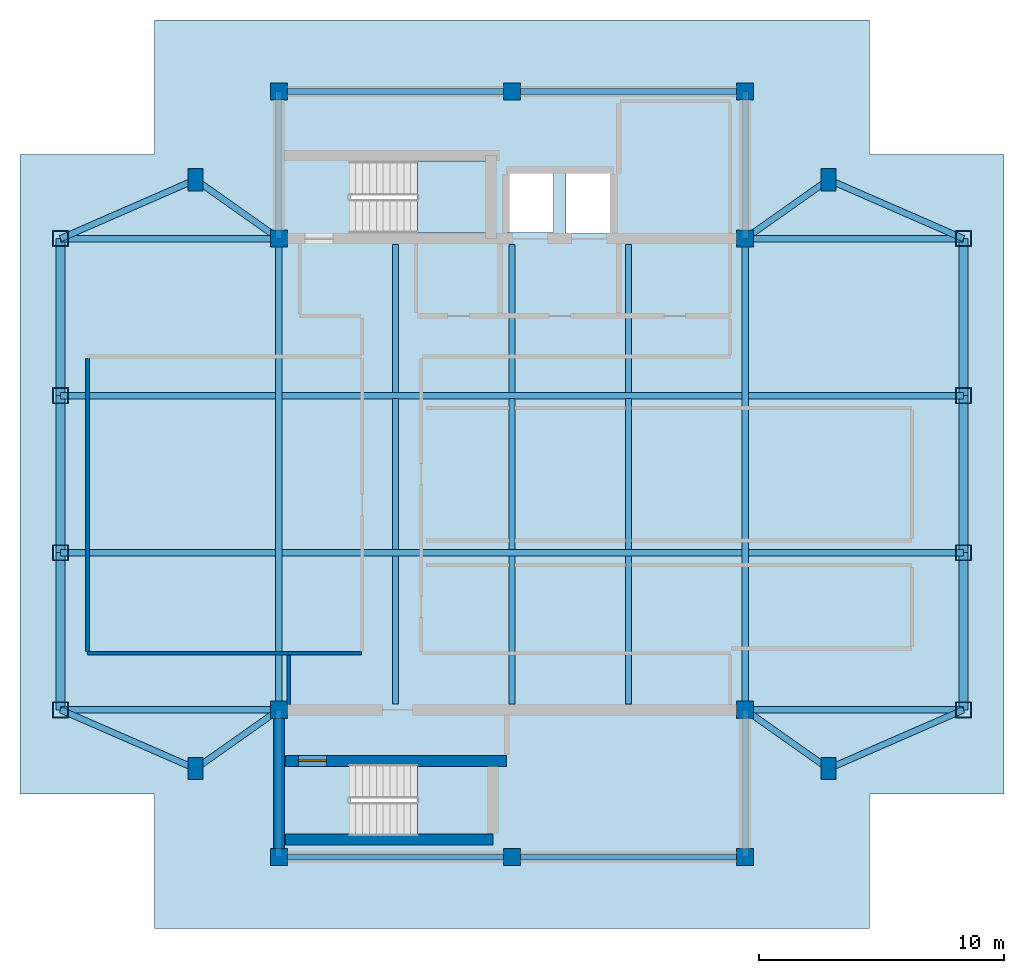
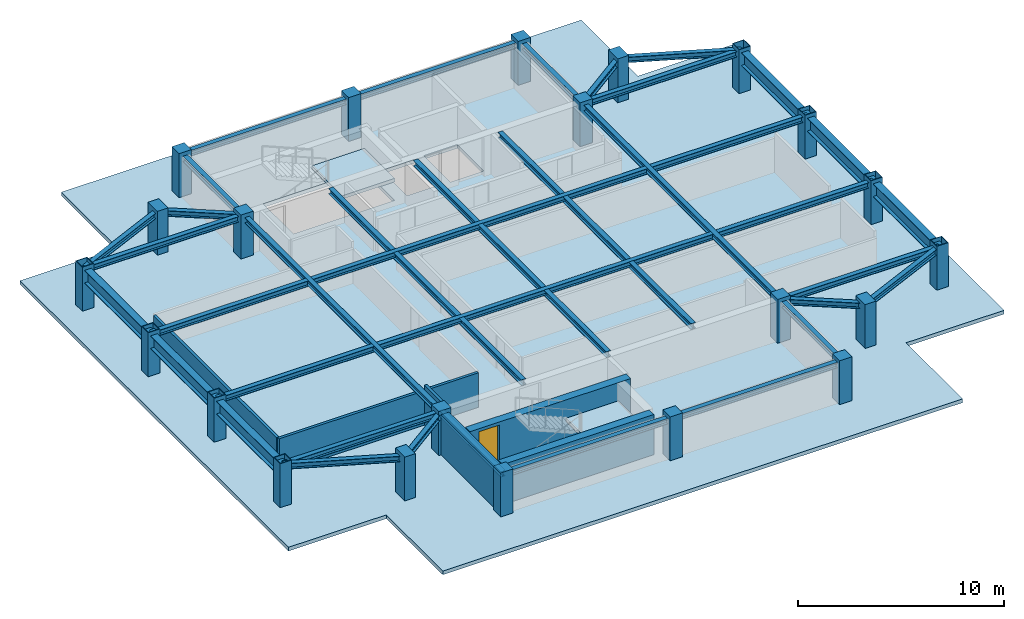
# One storey, part 1 of 4: 43 beams, 22 columns, 6 walls, 3 slabs, 1 door, 1 opening, 2 elements without a shape of their own.
"""IFC4 building model written with IfcOpenShell, lengths in metres."""

from ifc_helpers import new_model, si_unit, direction, frame, frame_2d, origin, origin_2d, place, context, subcontext, project, spatial, polyline, rectangle, hollow_rectangle, i_section, outline, extrude, material, layer, layer_set, material_profile, profile_set, type_object, element, fill, aggregate, save


model = new_model("IFC4")

# Units and contexts
model_context = context("Model", 3, precision=1e-05, world=origin(), true_north=direction((0.0, 1.0)))
body_context = subcontext(model_context, "Body", "Model", "MODEL_VIEW")
ifc_project = project(units=[si_unit("LENGTHUNIT", "METRE"), si_unit("AREAUNIT", "SQUARE_METRE"), si_unit("VOLUMEUNIT", "CUBIC_METRE"), si_unit("PLANEANGLEUNIT", "RADIAN"), si_unit("MASSUNIT", "GRAM", prefix="KILO")], contexts=[model_context])

# Site, building, storey
site_placement = place(None, origin())
site = spatial("IfcSite", under=ifc_project, at=site_placement, CompositionType="ELEMENT")
building_placement = place(site_placement, origin())
building = spatial("IfcBuilding", under=site, at=building_placement, Name="Mirazonda Arch Towers", CompositionType="ELEMENT")
storey_placement = place(building_placement, frame((0.0, 0.0, 271.300048828125)))
storey = spatial("IfcBuildingStorey", under=building, at=storey_placement, Name="L78", CompositionType="ELEMENT", Elevation=271.300048828125)

# Columns
ifc_material_1 = material(Name="Concrete C50/60", Category="concrete")
ifc_material_profile_1 = material_profile(ifc_material_1, rectangle(XDim=0.699951171875, YDim=0.699951171875, at=origin_2d()), Name="RC700x700")
ifc_profile_set_1 = profile_set([ifc_material_profile_1], Name="Concrete C50/60")
column_type_1 = type_object("IfcColumnType", Name="COL-INT-RC700x700", PredefinedType="COLUMN", material=ifc_profile_set_1)
for number, where, z_axis, x_axis, name in (
    (1, (11.0, 12.39990234375, 0.0), (0.0, 0.0, 1.0), (1.0, 0.0, 0.0), "L78 T1 Core Column 01"),
    (2, (20.5, 12.39990234375, 0.0), (0.0, 0.0, 1.0), (1.0, 0.0, 0.0), "L78 T1 Core Column 02"),
    (3, (30.0, 12.39990234375, 0.0), (0.0, 0.0, 1.0), (1.0, 0.0, 0.0), "L78 T1 Core Column 03"),
    (4, (11.0, 18.39990234375, 0.0), (0.0, 0.0, 1.0), (1.0, 0.0, 0.0), "L78 T1 Core Column 04"),
    (5, (30.0, 18.39990234375, 0.0), (0.0, 0.0, 1.0), (1.0, 0.0, 0.0), "L78 T1 Core Column 05"),
    (6, (11.0, 37.60009765625, 0.0), (0.0, 0.0, 1.0), (1.0, 0.0, 0.0), "L78 T1 Core Column 06"),
    (7, (30.0, 37.60009765625, 0.0), (0.0, 0.0, 1.0), (1.0, 0.0, 0.0), "L78 T1 Core Column 07"),
    (8, (11.0, 43.60009765625, 0.0), (0.0, 0.0, 1.0), (1.0, 0.0, 0.0), "L78 T1 Core Column 08"),
    (9, (20.5, 43.60009765625, 0.0), (0.0, 0.0, 1.0), (1.0, 0.0, 0.0), "L78 T1 Core Column 09"),
    (10, (30.0, 43.60009765625, 0.0), (0.0, 0.0, 1.0), (1.0, 0.0, 0.0), "L78 T1 Core Column 10"),
):
    element("IfcColumn", number, at=place(storey_placement, frame(where, z_axis=z_axis, x_axis=x_axis)), inside=storey, type_object=column_type_1, Name=name, PredefinedType="COLUMN", context=body_context, shape_type="SweptSolid", body=[
        extrude(rectangle(XDim=0.699951171875, YDim=0.699951171875, at=origin_2d()), origin(), (0.0, 0.0, 1.0), 2.599853515625),
    ])
ifc_material_2 = material(Name="Steel ASTM A572 Grade 50", Category="steel")
ifc_material_profile_2 = material_profile(ifc_material_2, hollow_rectangle(XDim=0.64990234375, YDim=0.64990234375, WallThickness=0.035888671875, at=origin_2d()), Name="BOX650x650x36")
ifc_profile_set_2 = profile_set([ifc_material_profile_2], Name="Steel ASTM A572 Grade 50")
column_type_2 = type_object("IfcColumnType", Name="MCOL-EXT-BOX650x650x36", PredefinedType="COLUMN", material=ifc_profile_set_2)
for number, where, z_axis, x_axis, name in (
    (11, (2.10009765625, 18.39990234375, 0.0), (0.0, 0.0, 1.0), (1.0, 0.0, 0.0), "L78 T1 Composite Mega-Column 01"),
    (12, (2.10009765625, 24.800048828125, 0.0), (0.0, 0.0, 1.0), (1.0, 0.0, 0.0), "L78 T1 Composite Mega-Column 02"),
    (13, (2.10009765625, 31.199951171875, 0.0), (0.0, 0.0, 1.0), (1.0, 0.0, 0.0), "L78 T1 Composite Mega-Column 03"),
    (14, (2.10009765625, 37.60009765625, 0.0), (0.0, 0.0, 1.0), (1.0, 0.0, 0.0), "L78 T1 Composite Mega-Column 04"),
    (15, (38.89990234375, 18.39990234375, 0.0), (0.0, 0.0, 1.0), (1.0, 0.0, 0.0), "L78 T1 Composite Mega-Column 05"),
    (16, (38.89990234375, 24.800048828125, 0.0), (0.0, 0.0, 1.0), (1.0, 0.0, 0.0), "L78 T1 Composite Mega-Column 06"),
    (17, (38.89990234375, 31.199951171875, 0.0), (0.0, 0.0, 1.0), (1.0, 0.0, 0.0), "L78 T1 Composite Mega-Column 07"),
    (18, (38.89990234375, 37.60009765625, 0.0), (0.0, 0.0, 1.0), (1.0, 0.0, 0.0), "L78 T1 Composite Mega-Column 08"),
):
    element("IfcColumn", number, at=place(storey_placement, frame(where, z_axis=z_axis, x_axis=x_axis)), inside=storey, type_object=column_type_2, Name=name, PredefinedType="COLUMN", context=body_context, shape_type="SweptSolid", body=[
        extrude(hollow_rectangle(XDim=0.64990234375, YDim=0.64990234375, WallThickness=0.035888671875, at=origin_2d()), origin(), (0.0, 0.0, 1.0), 2.599853515625),
    ])
ifc_material_profile_3 = material_profile(ifc_material_1, rectangle(XDim=0.60009765625, YDim=0.89990234375, at=origin_2d()), Name="RC900x600")
ifc_profile_set_3 = profile_set([ifc_material_profile_3], Name="Concrete C50/60")
column_type_3 = type_object("IfcColumnType", Name="PIL-EXT-RC900x600", PredefinedType="PILASTER", material=ifc_profile_set_3)
for number, where, z_axis, x_axis, name in (
    (19, (7.60009765625, 16.0, 0.0), (0.0, 0.0, 1.0), (1.0, 0.0, 0.0), "L78 T1 Corner Pilaster 01"),
    (20, (33.39990234375, 16.0, 0.0), (0.0, 0.0, 1.0), (1.0, 0.0, 0.0), "L78 T1 Corner Pilaster 02"),
    (21, (7.60009765625, 40.0, 0.0), (0.0, 0.0, 1.0), (1.0, 0.0, 0.0), "L78 T1 Corner Pilaster 03"),
    (22, (33.39990234375, 40.0, 0.0), (0.0, 0.0, 1.0), (1.0, 0.0, 0.0), "L78 T1 Corner Pilaster 04"),
):
    element("IfcColumn", number, at=place(storey_placement, frame(where, z_axis=z_axis, x_axis=x_axis)), inside=storey, type_object=column_type_3, Name=name, PredefinedType="PILASTER", context=body_context, shape_type="SweptSolid", body=[
        extrude(rectangle(XDim=0.60009765625, YDim=0.89990234375, at=origin_2d()), origin(), (0.0, 0.0, 1.0), 2.599853515625),
    ])

# Beams
ifc_material_3 = material(Name="Steel ASTM A992 Grade 50", Category="steel")
ifc_material_profile_4 = material_profile(ifc_material_3, i_section(OverallWidth=0.381103515625, OverallDepth=0.77294921875, WebThickness=0.0166015625, FlangeThickness=0.027099609375, at=origin_2d()), Name="W30X173")
ifc_profile_set_4 = profile_set([ifc_material_profile_4], Name="Steel ASTM A992 Grade 50")
beam_type_1 = type_object("IfcBeamType", Name="BM-EXT-W30X173", PredefinedType="USERDEFINED", material=ifc_profile_set_4)
beam_1_placement = place(storey_placement, frame((2.10009765625, 18.39990234375, 1.993408203125), z_axis=(0.0, 1.0, 0.0), x_axis=(-1.0, 0.0, 0.0)))
element("IfcBeam", 23, at=beam_1_placement, inside=storey, type_object=beam_type_1, Name="L78 Floor Beam BMC-T1-L78-NS-W-18", ObjectType="GIRDER", PredefinedType="USERDEFINED", context=body_context, shape_type="SweptSolid", body=[
    extrude(i_section(OverallWidth=0.381103515625, OverallDepth=0.77294921875, WebThickness=0.0166015625, FlangeThickness=0.027099609375, at=origin_2d()), origin(), (0.0, 0.0, 1.0), 6.400146484375),
])
beam_2_placement = place(storey_placement, frame((2.10009765625, 24.800048828125, 1.993408203125), z_axis=(0.0, 1.0, 0.0), x_axis=(-1.0, 0.0, 0.0)))
element("IfcBeam", 24, at=beam_2_placement, inside=storey, type_object=beam_type_1, Name="L78 Floor Beam BMC-T1-L78-NS-W-24", ObjectType="GIRDER", PredefinedType="USERDEFINED", context=body_context, shape_type="SweptSolid", body=[
    extrude(i_section(OverallWidth=0.381103515625, OverallDepth=0.77294921875, WebThickness=0.0166015625, FlangeThickness=0.027099609375, at=origin_2d()), origin(), (0.0, 0.0, 1.0), 6.39990234375),
])
for number, where, z_axis, x_axis, name in (
    (25, (2.10009765625, 31.199951171875, 1.993408203125), (0.0, 1.0, 0.0), (-1.0, 0.0, 0.0), "L78 Floor Beam BMC-T1-L78-NS-W-31"),
    (26, (38.89990234375, 18.39990234375, 1.993408203125), (0.0, 1.0, 0.0), (-1.0, 0.0, 0.0), "L78 Floor Beam BMC-T1-L78-NS-E-18"),
):
    element("IfcBeam", number, at=place(storey_placement, frame(where, z_axis=z_axis, x_axis=x_axis)), inside=storey, type_object=beam_type_1, Name=name, ObjectType="GIRDER", PredefinedType="USERDEFINED", context=body_context, shape_type="SweptSolid", body=[
        extrude(i_section(OverallWidth=0.381103515625, OverallDepth=0.77294921875, WebThickness=0.0166015625, FlangeThickness=0.027099609375, at=origin_2d()), origin(), (0.0, 0.0, 1.0), 6.400146484375),
    ])
beam_3_placement = place(storey_placement, frame((38.89990234375, 24.800048828125, 1.993408203125), z_axis=(0.0, 1.0, 0.0), x_axis=(-1.0, 0.0, 0.0)))
element("IfcBeam", 27, at=beam_3_placement, inside=storey, type_object=beam_type_1, Name="L78 Floor Beam BMC-T1-L78-NS-E-24", ObjectType="GIRDER", PredefinedType="USERDEFINED", context=body_context, shape_type="SweptSolid", body=[
    extrude(i_section(OverallWidth=0.381103515625, OverallDepth=0.77294921875, WebThickness=0.0166015625, FlangeThickness=0.027099609375, at=origin_2d()), origin(), (0.0, 0.0, 1.0), 6.39990234375),
])
beam_4_placement = place(storey_placement, frame((38.89990234375, 31.199951171875, 1.993408203125), z_axis=(0.0, 1.0, 0.0), x_axis=(-1.0, 0.0, 0.0)))
element("IfcBeam", 28, at=beam_4_placement, inside=storey, type_object=beam_type_1, Name="L78 Floor Beam BMC-T1-L78-NS-E-31", ObjectType="GIRDER", PredefinedType="USERDEFINED", context=body_context, shape_type="SweptSolid", body=[
    extrude(i_section(OverallWidth=0.381103515625, OverallDepth=0.77294921875, WebThickness=0.0166015625, FlangeThickness=0.027099609375, at=origin_2d()), origin(), (0.0, 0.0, 1.0), 6.400146484375),
])
ifc_material_profile_5 = material_profile(ifc_material_3, i_section(OverallWidth=0.257080078125, OverallDepth=0.330078125, WebThickness=0.011962890625, FlangeThickness=0.01953125, at=origin_2d()), Name="W10X68")
ifc_profile_set_5 = profile_set([ifc_material_profile_5], Name="Steel ASTM A992 Grade 50")
beam_type_2 = type_object("IfcBeamType", Name="BM-INT-W10X68", PredefinedType="BEAM", material=ifc_profile_set_5)
for number, where, z_axis, x_axis, name in (
    (29, (2.10009765625, 37.60009765625, 2.21484375), (1.0, 0.0, 0.0), (0.0, 1.0, 0.0), "L78 Floor Beam CBC-T1-L78-NW"),
    (30, (30.0, 37.60009765625, 2.21484375), (1.0, 0.0, 0.0), (0.0, 1.0, 0.0), "L78 Floor Beam CBC-T1-L78-NE"),
    (31, (2.10009765625, 18.39990234375, 2.21484375), (1.0, 0.0, 0.0), (0.0, 1.0, 0.0), "L78 Floor Beam CBC-T1-L78-SW"),
    (32, (30.0, 18.39990234375, 2.21484375), (1.0, 0.0, 0.0), (0.0, 1.0, 0.0), "L78 Floor Beam CBC-T1-L78-SE"),
):
    element("IfcBeam", number, at=place(storey_placement, frame(where, z_axis=z_axis, x_axis=x_axis)), inside=storey, type_object=beam_type_2, Name=name, PredefinedType="BEAM", context=body_context, shape_type="SweptSolid", body=[
        extrude(i_section(OverallWidth=0.257080078125, OverallDepth=0.330078125, WebThickness=0.011962890625, FlangeThickness=0.01953125, at=origin_2d()), origin(), (0.0, 0.0, 1.0), 8.89990234375),
    ])
beam_5_placement = place(storey_placement, frame((11.12841796875, 24.800048828125, 2.21484375), z_axis=(1.0, 0.0, 0.0), x_axis=(0.0, 1.0, 0.0)))
element("IfcBeam", 33, at=beam_5_placement, inside=storey, type_object=beam_type_2, Name="L78 Floor Beam BMC-T1-L78-GC2", PredefinedType="BEAM", context=body_context, shape_type="SweptSolid", body=[
    extrude(i_section(OverallWidth=0.257080078125, OverallDepth=0.330078125, WebThickness=0.011962890625, FlangeThickness=0.01953125, at=origin_2d()), origin(), (0.0, 0.0, 1.0), 18.7431640625),
])
for number, where, z_axis, x_axis, name in (
    (34, (2.10009765625, 24.800048828125, 2.21484375), (1.0, 0.0, 0.0), (0.0, 1.0, 0.0), "L78 Floor Beam BMC-T1-L78-GW2"),
    (35, (30.12841796875, 24.800048828125, 2.21484375), (1.0, 0.0, 0.0), (0.0, 1.0, 0.0), "L78 Floor Beam BMC-T1-L78-GE2"),
):
    element("IfcBeam", number, at=place(storey_placement, frame(where, z_axis=z_axis, x_axis=x_axis)), inside=storey, type_object=beam_type_2, Name=name, PredefinedType="BEAM", context=body_context, shape_type="SweptSolid", body=[
        extrude(i_section(OverallWidth=0.257080078125, OverallDepth=0.330078125, WebThickness=0.011962890625, FlangeThickness=0.01953125, at=origin_2d()), origin(), (0.0, 0.0, 1.0), 8.771484375),
    ])
beam_6_placement = place(storey_placement, frame((11.12841796875, 31.199951171875, 2.21484375), z_axis=(1.0, 0.0, 0.0), x_axis=(0.0, 1.0, 0.0)))
element("IfcBeam", 36, at=beam_6_placement, inside=storey, type_object=beam_type_2, Name="L78 Floor Beam BMC-T1-L78-GC3", PredefinedType="BEAM", context=body_context, shape_type="SweptSolid", body=[
    extrude(i_section(OverallWidth=0.257080078125, OverallDepth=0.330078125, WebThickness=0.011962890625, FlangeThickness=0.01953125, at=origin_2d()), origin(), (0.0, 0.0, 1.0), 18.7431640625),
])
for number, where, z_axis, x_axis, name in (
    (37, (2.10009765625, 31.199951171875, 2.21484375), (1.0, 0.0, 0.0), (0.0, 1.0, 0.0), "L78 Floor Beam BMC-T1-L78-GW3"),
    (38, (30.12841796875, 31.199951171875, 2.21484375), (1.0, 0.0, 0.0), (0.0, 1.0, 0.0), "L78 Floor Beam BMC-T1-L78-GE3"),
):
    element("IfcBeam", number, at=place(storey_placement, frame(where, z_axis=z_axis, x_axis=x_axis)), inside=storey, type_object=beam_type_2, Name=name, PredefinedType="BEAM", context=body_context, shape_type="SweptSolid", body=[
        extrude(i_section(OverallWidth=0.257080078125, OverallDepth=0.330078125, WebThickness=0.011962890625, FlangeThickness=0.01953125, at=origin_2d()), origin(), (0.0, 0.0, 1.0), 8.771484375),
    ])
for number, where, z_axis, x_axis, name in (
    (39, (11.0, 12.39990234375, 2.21484375), (1.0, 0.0, 0.0), (0.0, 1.0, 0.0), "L78 Floor Beam BMC-T1-L78-CS1"),
    (40, (20.5, 12.39990234375, 2.21484375), (1.0, 0.0, 0.0), (0.0, 1.0, 0.0), "L78 Floor Beam BMC-T1-L78-CS2"),
    (41, (11.0, 43.60009765625, 2.21484375), (1.0, 0.0, 0.0), (0.0, 1.0, 0.0), "L78 Floor Beam BMC-T1-L78-CN1"),
    (42, (20.5, 43.60009765625, 2.21484375), (1.0, 0.0, 0.0), (0.0, 1.0, 0.0), "L78 Floor Beam BMC-T1-L78-CN2"),
):
    element("IfcBeam", number, at=place(storey_placement, frame(where, z_axis=z_axis, x_axis=x_axis)), inside=storey, type_object=beam_type_2, Name=name, PredefinedType="BEAM", context=body_context, shape_type="SweptSolid", body=[
        extrude(i_section(OverallWidth=0.257080078125, OverallDepth=0.330078125, WebThickness=0.011962890625, FlangeThickness=0.01953125, at=origin_2d()), origin(), (0.0, 0.0, 1.0), 9.5),
    ])
for number, where, z_axis, x_axis, name in (
    (43, (11.0, 12.39990234375, 2.21484375), (0.0, 1.0, 0.0), (-1.0, 0.0, 0.0), "L78 Floor Beam BMC-T1-L78-CSW"),
    (44, (30.0, 12.39990234375, 2.21484375), (0.0, 1.0, 0.0), (-1.0, 0.0, 0.0), "L78 Floor Beam BMC-T1-L78-CSE"),
    (45, (11.0, 37.60009765625, 2.21484375), (0.0, 1.0, 0.0), (-1.0, 0.0, 0.0), "L78 Floor Beam BMC-T1-L78-CNW"),
    (46, (30.0, 37.60009765625, 2.21484375), (0.0, 1.0, 0.0), (-1.0, 0.0, 0.0), "L78 Floor Beam BMC-T1-L78-CNE"),
):
    element("IfcBeam", number, at=place(storey_placement, frame(where, z_axis=z_axis, x_axis=x_axis)), inside=storey, type_object=beam_type_2, Name=name, PredefinedType="BEAM", context=body_context, shape_type="SweptSolid", body=[
        extrude(i_section(OverallWidth=0.257080078125, OverallDepth=0.330078125, WebThickness=0.011962890625, FlangeThickness=0.01953125, at=origin_2d()), origin(), (0.0, 0.0, 1.0), 6.0),
    ])
for number, where, z_axis, x_axis, name in (
    (47, (11.0, 18.39990234375, 2.21484375), (0.0, 1.0, 0.0), (-1.0, 0.0, 0.0), "L78 Floor Beam BMC-T1-L78-NS-CW-FULL"),
    (48, (30.0, 18.39990234375, 2.21484375), (0.0, 1.0, 0.0), (-1.0, 0.0, 0.0), "L78 Floor Beam BMC-T1-L78-NS-CE-FULL"),
):
    element("IfcBeam", number, at=place(storey_placement, frame(where, z_axis=z_axis, x_axis=x_axis)), inside=storey, type_object=beam_type_2, Name=name, PredefinedType="BEAM", context=body_context, shape_type="SweptSolid", body=[
        extrude(i_section(OverallWidth=0.257080078125, OverallDepth=0.330078125, WebThickness=0.011962890625, FlangeThickness=0.01953125, at=origin_2d()), origin(), (0.0, 0.0, 1.0), 19.2001953125),
    ])
beam_7_placement = place(storey_placement, frame((7.60009765625, 16.0, 2.21484375), z_axis=(0.816971114901, 0.576678591087, 0.0), x_axis=(-0.576678591087, 0.816971114901, 0.0)))
element("IfcBeam", 49, at=beam_7_placement, inside=storey, type_object=beam_type_2, Name="L78 Floor Beam BMC-T1-L78-PL-SW1", PredefinedType="BEAM", context=body_context, shape_type="SweptSolid", body=[
    extrude(i_section(OverallWidth=0.257080078125, OverallDepth=0.330078125, WebThickness=0.011962890625, FlangeThickness=0.01953125, at=origin_2d()), origin(), (0.0, 0.0, 1.0), 4.16162109375),
])
beam_8_placement = place(storey_placement, frame((7.60009765625, 16.0, 2.21484375), z_axis=(-0.916545343703, 0.399930785183, 0.0), x_axis=(-0.399930785183, -0.916545343703, 0.0)))
element("IfcBeam", 50, at=beam_8_placement, inside=storey, type_object=beam_type_2, Name="L78 Floor Beam BMC-T1-L78-PL-SW2", PredefinedType="BEAM", context=body_context, shape_type="SweptSolid", body=[
    extrude(i_section(OverallWidth=0.257080078125, OverallDepth=0.330078125, WebThickness=0.011962890625, FlangeThickness=0.01953125, at=origin_2d()), origin(), (0.0, 0.0, 1.0), 6.000732421875),
])
beam_9_placement = place(storey_placement, frame((33.39990234375, 16.0, 2.21484375), z_axis=(-0.816971114901, 0.576678591087, 0.0), x_axis=(-0.576678591087, -0.816971114901, 0.0)))
element("IfcBeam", 51, at=beam_9_placement, inside=storey, type_object=beam_type_2, Name="L78 Floor Beam BMC-T1-L78-PL-SE1", PredefinedType="BEAM", context=body_context, shape_type="SweptSolid", body=[
    extrude(i_section(OverallWidth=0.257080078125, OverallDepth=0.330078125, WebThickness=0.011962890625, FlangeThickness=0.01953125, at=origin_2d()), origin(), (0.0, 0.0, 1.0), 4.16162109375),
])
beam_10_placement = place(storey_placement, frame((33.39990234375, 16.0, 2.21484375), z_axis=(0.916545343703, 0.399930785183, 0.0), x_axis=(-0.399930785183, 0.916545343703, 0.0)))
element("IfcBeam", 52, at=beam_10_placement, inside=storey, type_object=beam_type_2, Name="L78 Floor Beam BMC-T1-L78-PL-SE2", PredefinedType="BEAM", context=body_context, shape_type="SweptSolid", body=[
    extrude(i_section(OverallWidth=0.257080078125, OverallDepth=0.330078125, WebThickness=0.011962890625, FlangeThickness=0.01953125, at=origin_2d()), origin(), (0.0, 0.0, 1.0), 6.000732421875),
])
beam_11_placement = place(storey_placement, frame((7.60009765625, 40.0, 2.21484375), z_axis=(0.816971114901, -0.576678591087, 0.0), x_axis=(0.576678591087, 0.816971114901, 0.0)))
element("IfcBeam", 53, at=beam_11_placement, inside=storey, type_object=beam_type_2, Name="L78 Floor Beam BMC-T1-L78-PL-NW1", PredefinedType="BEAM", context=body_context, shape_type="SweptSolid", body=[
    extrude(i_section(OverallWidth=0.257080078125, OverallDepth=0.330078125, WebThickness=0.011962890625, FlangeThickness=0.01953125, at=origin_2d()), origin(), (0.0, 0.0, 1.0), 4.16162109375),
])
beam_12_placement = place(storey_placement, frame((7.60009765625, 40.0, 2.21484375), z_axis=(-0.916545343703, -0.399930785183, 0.0), x_axis=(0.399930785183, -0.916545343703, 0.0)))
element("IfcBeam", 54, at=beam_12_placement, inside=storey, type_object=beam_type_2, Name="L78 Floor Beam BMC-T1-L78-PL-NW2", PredefinedType="BEAM", context=body_context, shape_type="SweptSolid", body=[
    extrude(i_section(OverallWidth=0.257080078125, OverallDepth=0.330078125, WebThickness=0.011962890625, FlangeThickness=0.01953125, at=origin_2d()), origin(), (0.0, 0.0, 1.0), 6.000732421875),
])
beam_13_placement = place(storey_placement, frame((33.39990234375, 40.0, 2.21484375), z_axis=(-0.816971114901, -0.576678591087, 0.0), x_axis=(0.576678591087, -0.816971114901, 0.0)))
element("IfcBeam", 55, at=beam_13_placement, inside=storey, type_object=beam_type_2, Name="L78 Floor Beam BMC-T1-L78-PL-NE1", PredefinedType="BEAM", context=body_context, shape_type="SweptSolid", body=[
    extrude(i_section(OverallWidth=0.257080078125, OverallDepth=0.330078125, WebThickness=0.011962890625, FlangeThickness=0.01953125, at=origin_2d()), origin(), (0.0, 0.0, 1.0), 4.16162109375),
])
beam_14_placement = place(storey_placement, frame((33.39990234375, 40.0, 2.21484375), z_axis=(0.916545343703, -0.399930785183, 0.0), x_axis=(0.399930785183, 0.916545343703, 0.0)))
element("IfcBeam", 56, at=beam_14_placement, inside=storey, type_object=beam_type_2, Name="L78 Floor Beam BMC-T1-L78-PL-NE2", PredefinedType="BEAM", context=body_context, shape_type="SweptSolid", body=[
    extrude(i_section(OverallWidth=0.257080078125, OverallDepth=0.330078125, WebThickness=0.011962890625, FlangeThickness=0.01953125, at=origin_2d()), origin(), (0.0, 0.0, 1.0), 6.000732421875),
])
for number, where, z_axis, x_axis, name in (
    (57, (15.75, 18.639892578125, 2.21484375), (0.0, 1.0, 0.0), (-1.0, 0.0, 0.0), "L78 Floor Beam BMC-T1-L78-J-157-18"),
    (58, (15.75, 31.324462890625, 2.21484375), (0.0, 1.0, 0.0), (-1.0, 0.0, 0.0), "L78 Floor Beam BMC-T1-L78-J-157-31"),
):
    element("IfcBeam", number, at=place(storey_placement, frame(where, z_axis=z_axis, x_axis=x_axis)), inside=storey, type_object=beam_type_2, Name=name, PredefinedType="BEAM", context=body_context, shape_type="SweptSolid", body=[
        extrude(i_section(OverallWidth=0.257080078125, OverallDepth=0.330078125, WebThickness=0.011962890625, FlangeThickness=0.01953125, at=origin_2d()), origin(), (0.0, 0.0, 1.0), 6.03564453125),
    ])
beam_15_placement = place(storey_placement, frame((15.75, 24.924560546875, 2.21484375), z_axis=(0.0, 1.0, 0.0), x_axis=(-1.0, 0.0, 0.0)))
element("IfcBeam", 59, at=beam_15_placement, inside=storey, type_object=beam_type_2, Name="L78 Floor Beam BMC-T1-L78-J-157-24", PredefinedType="BEAM", context=body_context, shape_type="SweptSolid", body=[
    extrude(i_section(OverallWidth=0.257080078125, OverallDepth=0.330078125, WebThickness=0.011962890625, FlangeThickness=0.01953125, at=origin_2d()), origin(), (0.0, 0.0, 1.0), 6.15087890625),
])
for number, where, z_axis, x_axis, name in (
    (60, (20.5, 18.639892578125, 2.21484375), (0.0, 1.0, 0.0), (-1.0, 0.0, 0.0), "L78 Floor Beam BMC-T1-L78-J-205-18"),
    (61, (20.5, 31.324462890625, 2.21484375), (0.0, 1.0, 0.0), (-1.0, 0.0, 0.0), "L78 Floor Beam BMC-T1-L78-J-205-31"),
):
    element("IfcBeam", number, at=place(storey_placement, frame(where, z_axis=z_axis, x_axis=x_axis)), inside=storey, type_object=beam_type_2, Name=name, PredefinedType="BEAM", context=body_context, shape_type="SweptSolid", body=[
        extrude(i_section(OverallWidth=0.257080078125, OverallDepth=0.330078125, WebThickness=0.011962890625, FlangeThickness=0.01953125, at=origin_2d()), origin(), (0.0, 0.0, 1.0), 6.03564453125),
    ])
beam_16_placement = place(storey_placement, frame((20.5, 24.924560546875, 2.21484375), z_axis=(0.0, 1.0, 0.0), x_axis=(-1.0, 0.0, 0.0)))
element("IfcBeam", 62, at=beam_16_placement, inside=storey, type_object=beam_type_2, Name="L78 Floor Beam BMC-T1-L78-J-205-24", PredefinedType="BEAM", context=body_context, shape_type="SweptSolid", body=[
    extrude(i_section(OverallWidth=0.257080078125, OverallDepth=0.330078125, WebThickness=0.011962890625, FlangeThickness=0.01953125, at=origin_2d()), origin(), (0.0, 0.0, 1.0), 6.15087890625),
])
for number, where, z_axis, x_axis, name in (
    (63, (25.25, 18.639892578125, 2.21484375), (0.0, 1.0, 0.0), (-1.0, 0.0, 0.0), "L78 Floor Beam BMC-T1-L78-J-252-18"),
    (64, (25.25, 31.324462890625, 2.21484375), (0.0, 1.0, 0.0), (-1.0, 0.0, 0.0), "L78 Floor Beam BMC-T1-L78-J-252-31"),
):
    element("IfcBeam", number, at=place(storey_placement, frame(where, z_axis=z_axis, x_axis=x_axis)), inside=storey, type_object=beam_type_2, Name=name, PredefinedType="BEAM", context=body_context, shape_type="SweptSolid", body=[
        extrude(i_section(OverallWidth=0.257080078125, OverallDepth=0.330078125, WebThickness=0.011962890625, FlangeThickness=0.01953125, at=origin_2d()), origin(), (0.0, 0.0, 1.0), 6.03564453125),
    ])
beam_17_placement = place(storey_placement, frame((25.25, 24.924560546875, 2.21484375), z_axis=(0.0, 1.0, 0.0), x_axis=(-1.0, 0.0, 0.0)))
element("IfcBeam", 65, at=beam_17_placement, inside=storey, type_object=beam_type_2, Name="L78 Floor Beam BMC-T1-L78-J-252-24", PredefinedType="BEAM", context=body_context, shape_type="SweptSolid", body=[
    extrude(i_section(OverallWidth=0.257080078125, OverallDepth=0.330078125, WebThickness=0.011962890625, FlangeThickness=0.01953125, at=origin_2d()), origin(), (0.0, 0.0, 1.0), 6.15087890625),
])

# Stair, slab
ifc_material_4 = material(Name="Concrete C40/50", Category="concrete")
stair_type = type_object("IfcStairType", Name="STAIR-CORE-1400", PredefinedType="HALF_TURN_STAIR", material=ifc_material_4)
stair_1_placement = place(storey_placement, origin())
stair_1 = element("IfcStair", 66, at=stair_1_placement, inside=storey, type_object=stair_type, Name="L78 Protected Exit Stair ST-T1N", PredefinedType="HALF_TURN_STAIR")
ifc_layer_1 = layer(ifc_material_4, 0.18994140625, Name="SLAB-LANDING-190")
ifc_layer_set_1 = layer_set([ifc_layer_1], Name="Concrete C40/50")
slab_type_1 = type_object("IfcSlabType", Name="SLAB-LANDING-190", PredefinedType="LANDING", material=ifc_layer_set_1)
slab_1_placement = place(storey_placement, frame((0.0, 0.0, 1.099853515625)))
slab_1 = element("IfcSlab", 67, at=slab_1_placement, type_object=slab_type_1, Name="ST-T1N landing 1", PredefinedType="LANDING", context=body_context, shape_type="SweptSolid", body=[
    extrude(outline(polyline([(16.64990234375, 37.820068359375), (19.60009765625, 37.820068359375), (19.60009765625, 40.760009765625), (16.64990234375, 40.760009765625), (16.64990234375, 37.820068359375)])), origin(), (0.0, 0.0, 1.0), 0.2001953125),
])
aggregate(stair_1, [slab_1])

stair_2_placement = place(storey_placement, origin())
stair_2 = element("IfcStair", 68, at=stair_2_placement, inside=storey, type_object=stair_type, Name="L78 Protected Exit Stair ST-T1S", PredefinedType="HALF_TURN_STAIR")
slab_2_placement = place(storey_placement, frame((0.0, 0.0, 1.099853515625)))
slab_2 = element("IfcSlab", 69, at=slab_2_placement, type_object=slab_type_1, Name="ST-T1S landing 1", PredefinedType="LANDING", context=body_context, shape_type="SweptSolid", body=[
    extrude(outline(polyline([(16.64990234375, 13.25), (19.60009765625, 13.25), (19.60009765625, 16.18994140625), (16.64990234375, 16.18994140625), (16.64990234375, 13.25)])), origin(), (0.0, 0.0, 1.0), 0.2001953125),
])
aggregate(stair_2, [slab_2])

# Slab
ifc_layer_2 = layer(ifc_material_4, 0.219970703125, Name="SLAB-TWR-220")
ifc_layer_set_2 = layer_set([ifc_layer_2], Name="Concrete C40/50")
slab_type_2 = type_object("IfcSlabType", Name="SLAB-TWR-220", PredefinedType="FLOOR", material=ifc_layer_set_2)
slab_3_placement = place(storey_placement, frame((0.0, 0.0, -0.219970703125)))
element("IfcSlab", 70, at=slab_3_placement, inside=storey, type_object=slab_type_2, Name="L78 Tower 1 Floor Slab", PredefinedType="FLOOR", context=body_context, shape_type="SweptSolid", body=[
    extrude(outline(polyline([(5.93505859375, 9.489990234375), (35.06494140625, 9.489990234375), (35.06494140625, 14.97509765625), (40.550048828125, 14.97509765625), (40.550048828125, 41.02490234375), (35.06494140625, 41.02490234375), (35.06494140625, 46.510009765625), (5.93505859375, 46.510009765625), (5.93505859375, 41.02490234375), (0.449951171875, 41.02490234375), (0.449951171875, 14.97509765625), (5.93505859375, 14.97509765625), (5.93505859375, 9.489990234375)]), holes=[polyline([(22.7099609375, 37.81005859375), (22.7099609375, 40.389892578125), (24.590087890625, 40.389892578125), (24.590087890625, 37.81005859375), (22.7099609375, 37.81005859375)]), polyline([(20.31005859375, 37.860107421875), (20.31005859375, 40.340087890625), (22.18994140625, 40.340087890625), (22.18994140625, 37.860107421875), (20.31005859375, 37.860107421875)]), polyline([(19.60009765625, 13.25), (13.925048828125, 13.25), (13.925048828125, 16.18994140625), (19.60009765625, 16.18994140625), (19.60009765625, 13.25)]), polyline([(19.60009765625, 37.820068359375), (13.925048828125, 37.820068359375), (13.925048828125, 40.760009765625), (19.60009765625, 40.760009765625), (19.60009765625, 37.820068359375)])]), origin(), (0.0, 0.0, 1.0), 0.219970703125),
])

# Walls
ifc_layer_3 = layer(ifc_material_1, 0.449951171875, Name="WALL-CORE-450")
ifc_layer_set_3 = layer_set([ifc_layer_3], Name="Concrete C50/60")
wall_type_1 = type_object("IfcWallType", Name="WALL-CORE-450", PredefinedType="SHEAR", material=ifc_layer_set_3)
wall_1_placement = place(storey_placement, frame((11.0, 12.39990234375, 0.0), z_axis=(0.0, 0.0, 1.0), x_axis=(0.0, 1.0, 0.0)))
element("IfcWall", 71, at=wall_1_placement, inside=storey, type_object=wall_type_1, Name="L78 T1S-W Core Shear Wall", PredefinedType="SHEAR", context=body_context, shape_type="SweptSolid", body=[
    extrude(rectangle(XDim=6.0, YDim=0.449951171875, at=frame_2d((3.0, 0.0))), origin(), (0.0, 0.0, 1.0), 2.3798828125),
])
wall_2_placement = place(storey_placement, frame((11.27001953125, 13.1201171875, 0.0), z_axis=(0.0, 0.0, 1.0), x_axis=(1.0, 0.0, 0.0)))
element("IfcWall", 72, at=wall_2_placement, inside=storey, type_object=wall_type_1, Name="L78 Stair Core Shear Wall 001", PredefinedType="SHEAR", context=body_context, shape_type="SweptSolid", body=[
    extrude(rectangle(XDim=8.4599609375, YDim=0.449951171875, at=frame_2d((4.22998046875, 0.0))), origin(), (0.0, 0.0, 1.0), 2.3798828125),
])

# Wall, opening, door
wall_3_placement = place(storey_placement, frame((11.27001953125, 16.320068359375, 0.0), z_axis=(0.0, 0.0, 1.0), x_axis=(1.0, 0.0, 0.0)))
wall_3 = element("IfcWall", 73, at=wall_3_placement, inside=storey, type_object=wall_type_1, Name="L78 Stair Core Shear Wall 002", PredefinedType="SHEAR", context=body_context, shape_type="SweptSolid", body=[
    extrude(rectangle(XDim=9.010009765625, YDim=0.449951171875, at=frame_2d((4.5048828125, 0.0))), origin(), (0.0, 0.0, 1.0), 2.3798828125),
])
opening_placement = place(wall_3_placement, frame((0.52001953125, 0.0, 0.0)))
opening = element("IfcOpeningElement", 74, at=opening_placement, cuts=wall_3, Name="Opening DR-135", PredefinedType="OPENING", context=body_context, shape_type="SweptSolid", body=[
    extrude(rectangle(XDim=1.14990234375, YDim=2.199951171875, at=frame_2d((0.574951171875, 1.10009765625))), frame((0.0, 0.23486328125, 0.0), z_axis=(0.0, -1.0, 0.0), x_axis=(1.0, 0.0, 0.0)), (0.0, 0.0, 1.0), 0.469970703125),
])
ifc_material_5 = material(Name="Architectural Brushed Steel S355", Category="steel")
door_type = type_object("IfcDoorType", Name="DOOR-STAIR-FD90-1150", OperationType="NOTDEFINED", PredefinedType="DOOR", material=ifc_material_5)
door_placement = place(opening_placement, origin())
door = element("IfcDoor", 75, at=door_placement, inside=storey, type_object=door_type, Name="L78 Protected Exit Stair South Door", OperationType="SINGLE_SWING_RIGHT", OverallHeight=2.199951171875, OverallWidth=1.14990234375, PredefinedType="DOOR", context=body_context, shape_type="SweptSolid", body=[
    extrude(rectangle(XDim=1.14990234375, YDim=2.199951171875, at=frame_2d((0.574951171875, 1.10009765625))), frame((0.0, 0.02490234375, 0.0), z_axis=(0.0, -1.0, 0.0), x_axis=(1.0, 0.0, 0.0)), (0.0, 0.0, 1.0), 0.050048828125),
])
fill(opening, door)

# Walls
ifc_material_6 = material(Name="Fire-Rated Gypsum Stud Partition")
ifc_layer_4 = layer(ifc_material_6, 0.14990234375, Name="WALL-PART-CORR-150")
ifc_layer_set_4 = layer_set([ifc_layer_4], Name="Fire-Rated Gypsum Stud Partition")
wall_type_2 = type_object("IfcWallType", Name="WALL-PART-CORR-150", PredefinedType="PARTITIONING", material=ifc_layer_set_4)
wall_4_placement = place(storey_placement, frame((3.199951171875, 20.699951171875, 0.0), z_axis=(0.0, 0.0, 1.0), x_axis=(1.0, 0.0, 0.0)))
element("IfcWall", 76, at=wall_4_placement, inside=storey, type_object=wall_type_2, Name="L78 Interior Partition 003", PredefinedType="PARTITIONING", context=body_context, shape_type="SweptSolid", body=[
    extrude(rectangle(XDim=11.16015625, YDim=0.14990234375, at=frame_2d((5.580078125, 0.0))), origin(), (0.0, 0.0, 1.0), 2.0419921875),
])
wall_5_placement = place(storey_placement, frame((3.199951171875, 20.784912109375, 0.0), z_axis=(0.0, 0.0, 1.0), x_axis=(0.0, 1.0, 0.0)))
element("IfcWall", 77, at=wall_5_placement, inside=storey, type_object=wall_type_2, Name="L78 Interior Partition 015", PredefinedType="PARTITIONING", context=body_context, shape_type="SweptSolid", body=[
    extrude(rectangle(XDim=11.93017578125, YDim=0.14990234375, at=frame_2d((5.965087890625, 0.0))), origin(), (0.0, 0.0, 1.0), 2.0419921875),
])
wall_6_placement = place(storey_placement, frame((11.39990234375, 18.6201171875, 0.0), z_axis=(0.0, 0.0, 1.0), x_axis=(0.0, 1.0, 0.0)))
element("IfcWall", 78, at=wall_6_placement, inside=storey, type_object=wall_type_2, Name="L78 Interior Partition 016", PredefinedType="PARTITIONING", context=body_context, shape_type="SweptSolid", body=[
    extrude(rectangle(XDim=1.994873046875, YDim=0.14990234375, at=frame_2d((0.99755859375, 0.0))), origin(), (0.0, 0.0, 1.0), 2.3798828125),
])

save(model, "model.ifc")
